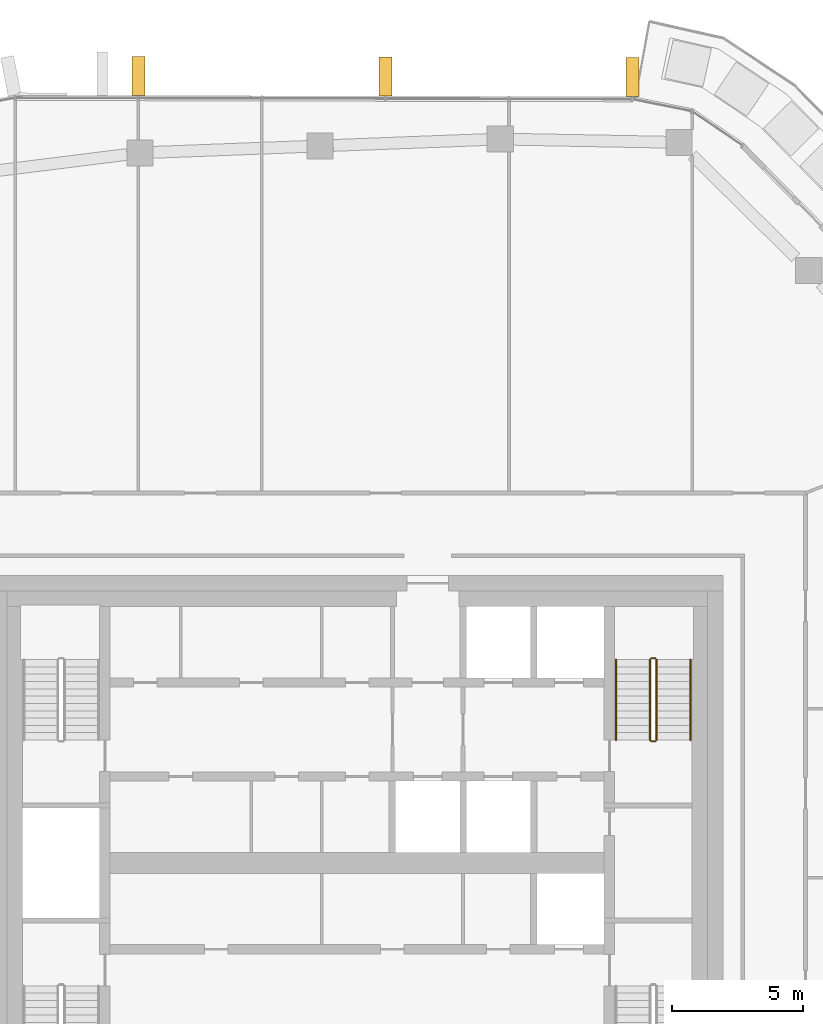
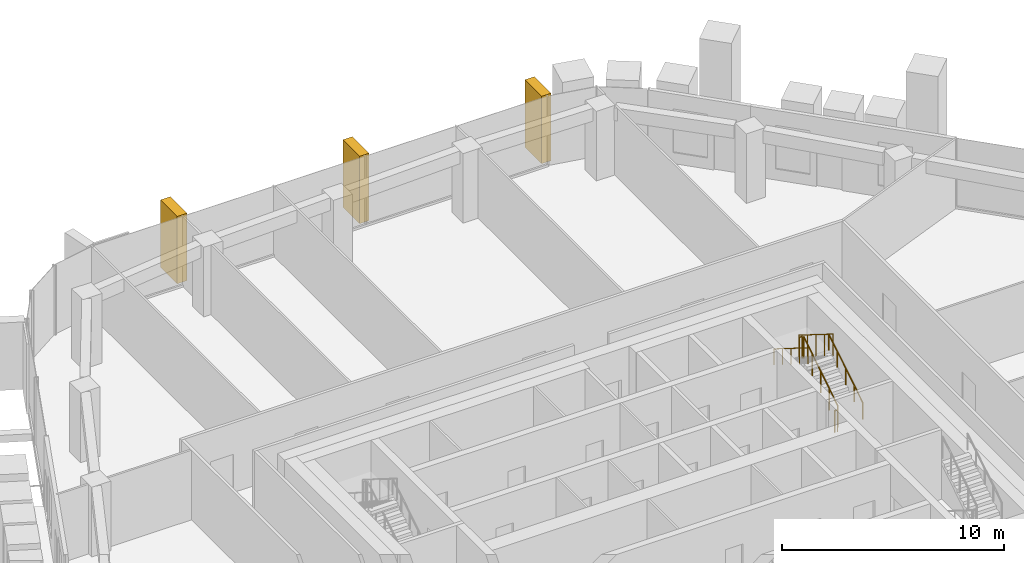
# One storey, part 22 of 23: 6 railings, 3 coverings, 1 element without a shape of its own.
"""IFC4 building model written with IfcOpenShell, lengths in metres."""

from ifc_helpers import new_model, si_unit, direction, frame, origin, origin_2d, place, context, subcontext, project, spatial, rectangle, circle, extrude, material, layer, layer_set, material_profile, profile_set, type_object, element, aggregate, save


model = new_model("IFC4")

# Units and contexts
model_context = context("Model", 3, precision=1e-05, world=origin(), true_north=direction((0.0, 1.0)))
body_context = subcontext(model_context, "Body", "Model", "MODEL_VIEW")
ifc_project = project(units=[si_unit("LENGTHUNIT", "METRE"), si_unit("AREAUNIT", "SQUARE_METRE"), si_unit("VOLUMEUNIT", "CUBIC_METRE"), si_unit("PLANEANGLEUNIT", "RADIAN"), si_unit("MASSUNIT", "GRAM", prefix="KILO")], contexts=[model_context])

# Site, building, storey
site_placement = place(None, origin())
site = spatial("IfcSite", under=ifc_project, at=site_placement, CompositionType="ELEMENT")
building_placement = place(site_placement, origin())
building = spatial("IfcBuilding", under=site, at=building_placement, Name="Dongbaek Canopy Tower", CompositionType="ELEMENT")
storey_placement = place(building_placement, frame((0.0, 0.0, 315.199951171875)))
storey = spatial("IfcBuildingStorey", under=building, at=storey_placement, Name="L67", CompositionType="ELEMENT", Elevation=315.199951171875)

# Curtain wall, coverings
ifc_material_1 = material(Name="Aluminium 6063-T6 pale anodised", Category="aluminium")
ifc_layer = layer(ifc_material_1, 0.199951171875)
ifc_layer_set = layer_set([ifc_layer], Name="CW-1 unitised tower curtain wall")
curtain_wall_type = type_object("IfcCurtainWallType", Name="CW-1 unitised tower curtain wall", PredefinedType="NOTDEFINED", material=ifc_layer_set)
curtain_wall_placement = place(storey_placement, origin())
curtain_wall = element("IfcCurtainWall", 1, at=curtain_wall_placement, inside=storey, type_object=curtain_wall_type, Name="CW-1 curtain wall F1.1", PredefinedType="NOTDEFINED")
ifc_material_2 = material(Name="Aluminium 6063-T6 pale metal fin", Category="aluminium")
ifc_material_profile = material_profile(ifc_material_2, rectangle(XDim=1.5, YDim=0.5, at=origin_2d()), Name="Fin FN1 500 x 1500 pale metal")
ifc_profile_set = profile_set([ifc_material_profile], Name="Aluminium 6063-T6 pale metal fin")
covering_type = type_object("IfcCoveringType", Name="Fin FN1 500 x 1500 pale metal", PredefinedType="CLADDING", material=ifc_profile_set)
covering_1_placement = place(storey_placement, frame((10.52587890625, 30.066650390625, 0.1201171875), z_axis=(0.0, 0.0, 1.0), x_axis=(0.002180161438, 0.999997623445, 0.0)))
covering_1 = element("IfcCovering", 2, at=covering_1_placement, type_object=covering_type, Name="Fin F1.1.1", PredefinedType="CLADDING", context=body_context, shape_type="SweptSolid", body=[
    extrude(rectangle(XDim=1.5, YDim=0.5, at=origin_2d()), origin(), (0.0, 0.0, 1.0), 3.699951171875),
])
covering_2_placement = place(storey_placement, frame((1.08349609375, 30.087158203125, 0.1201171875), z_axis=(0.0, 0.0, 1.0), x_axis=(0.002180161438, 0.999997623445, 0.0)))
covering_2 = element("IfcCovering", 3, at=covering_2_placement, type_object=covering_type, Name="Fin F1.1.3", PredefinedType="CLADDING", context=body_context, shape_type="SweptSolid", body=[
    extrude(rectangle(XDim=1.5, YDim=0.5, at=origin_2d()), origin(), (0.0, 0.0, 1.0), 3.699951171875),
])
covering_3_placement = place(storey_placement, frame((-8.368896484375, 30.10791015625, 0.1201171875), z_axis=(0.0, 0.0, 1.0), x_axis=(0.002180161438, 0.999997623445, 0.0)))
covering_3 = element("IfcCovering", 4, at=covering_3_placement, type_object=covering_type, Name="Fin F1.1.5", PredefinedType="CLADDING", context=body_context, shape_type="SweptSolid", body=[
    extrude(rectangle(XDim=1.5, YDim=0.5, at=origin_2d()), origin(), (0.0, 0.0, 1.0), 3.699951171875),
])
aggregate(curtain_wall, [covering_1, covering_2, covering_3])

# Railings
ifc_material_3 = material(Name="Stainless steel tube and balusters", Category="steel")
railing_type_1 = type_object("IfcRailingType", Name="Stair guard 1200", PredefinedType="GUARDRAIL", material=ifc_material_3)
railing_1_placement = place(storey_placement, frame((11.449951171875, 4.699951171875, 0.175048828125)))
element("IfcRailing", 5, at=railing_1_placement, inside=storey, type_object=railing_type_1, Name="L67 ST-A stair guard 1", PredefinedType="GUARDRAIL", context=body_context, shape_type="SweptSolid", body=[
    extrude(circle(Radius=0.02392578125, at=origin_2d()), frame((0.0, 0.0, 1.17578125), z_axis=(0.0, 0.847998304005, 0.529998940003), x_axis=(-1.0, 0.0, 0.0)), (0.0, 0.0, 1.0), 3.632080078125),
    extrude(circle(Radius=0.02099609375, at=origin_2d()), origin(), (0.0, 0.0, 1.0), 1.15185546875),
    extrude(circle(Radius=0.02099609375, at=origin_2d()), frame((0.0, 0.77001953125, 0.481201171875)), (0.0, 0.0, 1.0), 1.15185546875),
    extrude(circle(Radius=0.02099609375, at=origin_2d()), frame((0.0, 1.5400390625, 0.96240234375)), (0.0, 0.0, 1.0), 1.15185546875),
    extrude(circle(Radius=0.02099609375, at=origin_2d()), frame((0.0, 2.31005859375, 1.44384765625)), (0.0, 0.0, 1.0), 1.15185546875),
    extrude(circle(Radius=0.02099609375, at=origin_2d()), frame((0.0, 3.080078125, 1.925048828125)), (0.0, 0.0, 1.0), 1.15185546875),
])
railing_2_placement = place(storey_placement, frame((11.39990234375, 7.830078125, 2.10009765625)))
element("IfcRailing", 6, at=railing_2_placement, inside=storey, type_object=railing_type_1, Name="L67 ST-A stair guard 2", PredefinedType="GUARDRAIL", context=body_context, shape_type="SweptSolid", body=[
    extrude(circle(Radius=0.02392578125, at=origin_2d()), frame((0.0, 0.0, 1.17578125), z_axis=(-1.0, 0.0, 0.0), x_axis=(0.0, -1.0, 0.0)), (0.0, 0.0, 1.0), 0.14990234375),
    extrude(circle(Radius=0.02099609375, at=origin_2d()), origin(), (0.0, 0.0, 1.0), 1.15185546875),
    extrude(circle(Radius=0.02099609375, at=origin_2d()), frame((-0.14990234375, 0.0, 0.0)), (0.0, 0.0, 1.0), 1.15185546875),
])
railing_3_placement = place(storey_placement, frame((11.199951171875, 7.780029296875, 2.275146484375)))
element("IfcRailing", 7, at=railing_3_placement, inside=storey, type_object=railing_type_1, Name="L67 ST-A stair guard 3", PredefinedType="GUARDRAIL", context=body_context, shape_type="SweptSolid", body=[
    extrude(circle(Radius=0.02392578125, at=origin_2d()), frame((0.0, 0.0, 1.17578125), z_axis=(0.0, -0.848028513186, 0.529950602248), x_axis=(1.0, 0.0, 0.0)), (0.0, 0.0, 1.0), 3.632080078125),
    extrude(circle(Radius=0.02099609375, at=origin_2d()), origin(), (0.0, 0.0, 1.0), 1.15185546875),
    extrude(circle(Radius=0.02099609375, at=origin_2d()), frame((0.0, -0.77001953125, 0.481201171875)), (0.0, 0.0, 1.0), 1.15185546875),
    extrude(circle(Radius=0.02099609375, at=origin_2d()), frame((0.0, -1.5400390625, 0.96240234375)), (0.0, 0.0, 1.0), 1.15185546875),
    extrude(circle(Radius=0.02099609375, at=origin_2d()), frame((0.0, -2.31005859375, 1.443603515625)), (0.0, 0.0, 1.0), 1.15185546875),
    extrude(circle(Radius=0.02099609375, at=origin_2d()), frame((0.0, -3.080078125, 1.9248046875)), (0.0, 0.0, 1.0), 1.15185546875),
])
railing_4_placement = place(storey_placement, frame((11.39990234375, 4.64990234375, 0.0)))
element("IfcRailing", 8, at=railing_4_placement, inside=storey, type_object=railing_type_1, Name="L67 ST-A stair guard 4", PredefinedType="GUARDRAIL", context=body_context, shape_type="SweptSolid", body=[
    extrude(circle(Radius=0.02392578125, at=origin_2d()), frame((0.0, 0.0, 1.17578125), z_axis=(-1.0, 0.0, 0.0), x_axis=(0.0, -1.0, 0.0)), (0.0, 0.0, 1.0), 0.14990234375),
    extrude(circle(Radius=0.02099609375, at=origin_2d()), origin(), (0.0, 0.0, 1.0), 1.15185546875),
    extrude(circle(Radius=0.02099609375, at=origin_2d()), frame((-0.14990234375, 0.0, 0.0)), (0.0, 0.0, 1.0), 1.15185546875),
])
ifc_material_4 = material(Name="Stainless steel tube", Category="steel")
railing_type_2 = type_object("IfcRailingType", Name="Stair handrail 900", PredefinedType="HANDRAIL", material=ifc_material_4)
railing_5_placement = place(storey_placement, frame((12.75, 4.699951171875, 0.175048828125)))
element("IfcRailing", 9, at=railing_5_placement, inside=storey, type_object=railing_type_2, Name="L67 ST-A stair handrail 1", PredefinedType="HANDRAIL", context=body_context, shape_type="SweptSolid", body=[
    extrude(circle(Radius=0.02392578125, at=origin_2d()), frame((0.0, 0.0, 0.8759765625), z_axis=(0.0, 0.847998304005, 0.529998940003), x_axis=(-1.0, 0.0, 0.0)), (0.0, 0.0, 1.0), 3.632080078125),
    extrude(circle(Radius=0.02099609375, at=origin_2d()), origin(), (0.0, 0.0, 1.0), 0.851806640625),
    extrude(circle(Radius=0.02099609375, at=origin_2d()), frame((0.0, 0.77001953125, 0.481201171875)), (0.0, 0.0, 1.0), 0.851806640625),
    extrude(circle(Radius=0.02099609375, at=origin_2d()), frame((0.0, 1.5400390625, 0.96240234375)), (0.0, 0.0, 1.0), 0.851806640625),
    extrude(circle(Radius=0.02099609375, at=origin_2d()), frame((0.0, 2.31005859375, 1.44384765625)), (0.0, 0.0, 1.0), 0.851806640625),
    extrude(circle(Radius=0.02099609375, at=origin_2d()), frame((0.0, 3.080078125, 1.925048828125)), (0.0, 0.0, 1.0), 0.851806640625),
])
railing_6_placement = place(storey_placement, frame((9.89990234375, 7.780029296875, 2.275146484375)))
element("IfcRailing", 10, at=railing_6_placement, inside=storey, type_object=railing_type_2, Name="L67 ST-A stair handrail 2", PredefinedType="HANDRAIL", context=body_context, shape_type="SweptSolid", body=[
    extrude(circle(Radius=0.02392578125, at=origin_2d()), frame((0.0, 0.0, 0.8759765625), z_axis=(0.0, -0.848028513186, 0.529950602248), x_axis=(1.0, 0.0, 0.0)), (0.0, 0.0, 1.0), 3.632080078125),
    extrude(circle(Radius=0.02099609375, at=origin_2d()), origin(), (0.0, 0.0, 1.0), 0.851806640625),
    extrude(circle(Radius=0.02099609375, at=origin_2d()), frame((0.0, -0.77001953125, 0.481201171875)), (0.0, 0.0, 1.0), 0.851806640625),
    extrude(circle(Radius=0.02099609375, at=origin_2d()), frame((0.0, -1.5400390625, 0.96240234375)), (0.0, 0.0, 1.0), 0.851806640625),
    extrude(circle(Radius=0.02099609375, at=origin_2d()), frame((0.0, -2.31005859375, 1.443603515625)), (0.0, 0.0, 1.0), 0.851806640625),
    extrude(circle(Radius=0.02099609375, at=origin_2d()), frame((0.0, -3.080078125, 1.9248046875)), (0.0, 0.0, 1.0), 0.851806640625),
])

save(model, "model.ifc")
